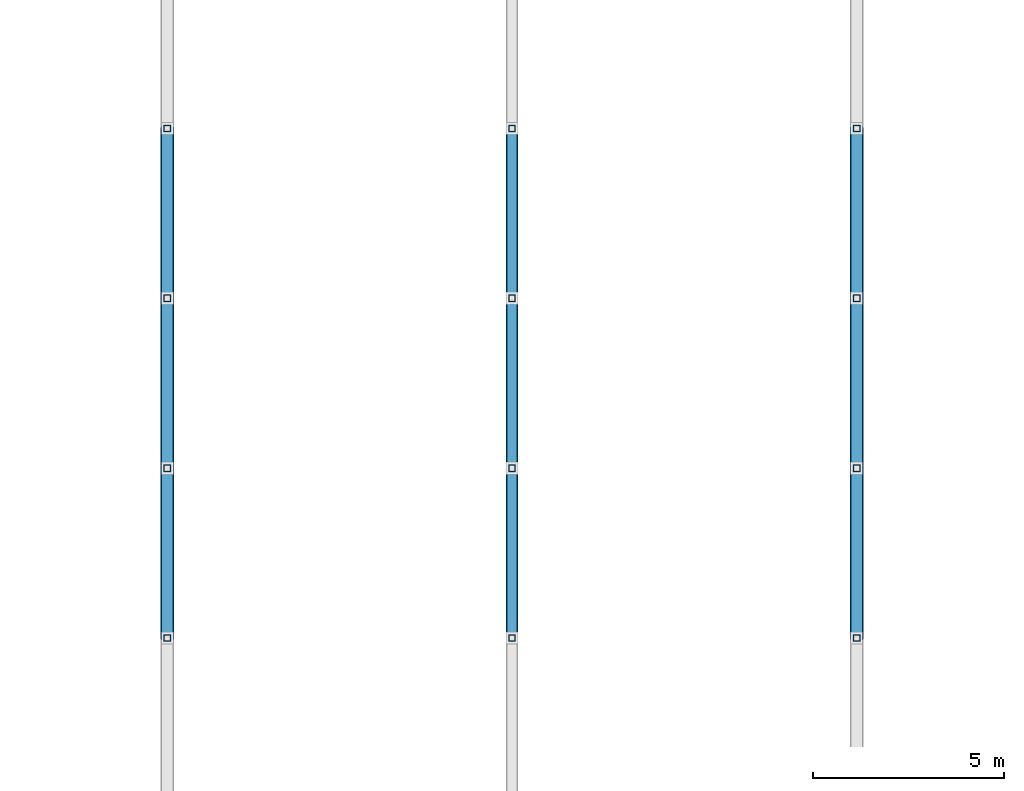
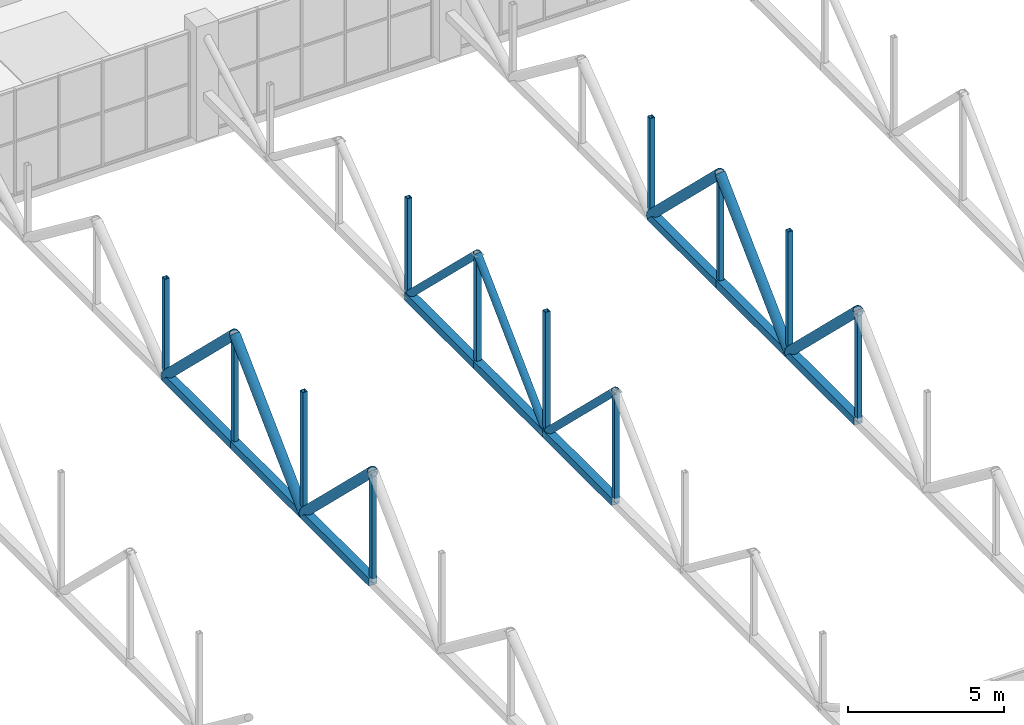
# One storey, part 52 of 103: 30 members.
"""IFC4 building model written with IfcOpenShell, lengths in metres."""

from ifc_helpers import new_model, si_unit, direction, frame, origin, origin_2d, place, context, subcontext, project, spatial, hollow_rectangle, hollow_circle, extrude, material, material_profile, profile_set, type_object, element, save


model = new_model("IFC4")

# Units and contexts
model_context = context("Model", 3, precision=1e-05, world=origin(), true_north=direction((0.0, 1.0)))
body_context = subcontext(model_context, "Body", "Model", "MODEL_VIEW")
ifc_project = project(units=[si_unit("LENGTHUNIT", "METRE"), si_unit("AREAUNIT", "SQUARE_METRE"), si_unit("VOLUMEUNIT", "CUBIC_METRE"), si_unit("PLANEANGLEUNIT", "RADIAN"), si_unit("MASSUNIT", "GRAM", prefix="KILO")], contexts=[model_context])

# Site, building, storey
site_placement = place(None, origin())
site = spatial("IfcSite", under=ifc_project, at=site_placement, CompositionType="ELEMENT")
building_placement = place(site_placement, origin())
building = spatial("IfcBuilding", under=site, at=building_placement, Name="Cazmaro Siding Exhibition Halls", CompositionType="ELEMENT")
storey_placement = place(building_placement, frame((0.0, 0.0, 16.5)))
storey = spatial("IfcBuildingStorey", under=building, at=storey_placement, Name="L03", CompositionType="ELEMENT", Elevation=16.5)

# Members
ifc_material_1 = material(Name="Steel ASTM A500 Grade C", Category="steel")
ifc_material_profile_1 = material_profile(ifc_material_1, hollow_rectangle(XDim=0.304931640625, YDim=0.304931640625, WallThickness=0.014892578125, at=origin_2d()), Name="HSS12X12X5/8")
ifc_profile_set_1 = profile_set([ifc_material_profile_1], Name="Steel ASTM A500 Grade C")
member_type_1 = type_object("IfcMemberType", Name="TC-02", PredefinedType="CHORD", material=ifc_profile_set_1)
for number, where, z_axis, x_axis, name in (
    (1, (135.0, 26.989990234375, 1.699951171875), (0.0, 1.0, 0.0), (-1.0, 0.0, 0.0), "Warren roof truss bottom chord TC-02 MEM-2588"),
    (2, (135.0, 31.425048828125, 1.699951171875), (0.0, 1.0, 0.0), (-1.0, 0.0, 0.0), "Warren roof truss bottom chord TC-02 MEM-2591"),
):
    element("IfcMember", number, at=place(storey_placement, frame(where, z_axis=z_axis, x_axis=x_axis)), inside=storey, type_object=member_type_1, Name=name, PredefinedType="CHORD", context=body_context, shape_type="SweptSolid", body=[
        extrude(hollow_rectangle(XDim=0.304931640625, YDim=0.304931640625, WallThickness=0.014892578125, at=origin_2d()), origin(), (0.0, 0.0, 1.0), 4.43505859375),
    ])
member_1_placement = place(storey_placement, frame((135.0, 35.860107421875, 1.699951171875), z_axis=(0.0, 1.0, 0.0), x_axis=(-1.0, 0.0, 0.0)))
element("IfcMember", 3, at=member_1_placement, inside=storey, type_object=member_type_1, Name="Warren roof truss bottom chord TC-02 MEM-2594", PredefinedType="CHORD", context=body_context, shape_type="SweptSolid", body=[
    extrude(hollow_rectangle(XDim=0.304931640625, YDim=0.304931640625, WallThickness=0.014892578125, at=origin_2d()), origin(), (0.0, 0.0, 1.0), 4.434814453125),
])
for number, where, z_axis, x_axis, name in (
    (4, (144.0, 26.989990234375, 1.699951171875), (0.0, 1.0, 0.0), (-1.0, 0.0, 0.0), "Warren roof truss bottom chord TC-02 MEM-2627"),
    (5, (144.0, 31.425048828125, 1.699951171875), (0.0, 1.0, 0.0), (-1.0, 0.0, 0.0), "Warren roof truss bottom chord TC-02 MEM-2630"),
):
    element("IfcMember", number, at=place(storey_placement, frame(where, z_axis=z_axis, x_axis=x_axis)), inside=storey, type_object=member_type_1, Name=name, PredefinedType="CHORD", context=body_context, shape_type="SweptSolid", body=[
        extrude(hollow_rectangle(XDim=0.304931640625, YDim=0.304931640625, WallThickness=0.014892578125, at=origin_2d()), origin(), (0.0, 0.0, 1.0), 4.43505859375),
    ])
member_2_placement = place(storey_placement, frame((144.0, 35.860107421875, 1.699951171875), z_axis=(0.0, 1.0, 0.0), x_axis=(-1.0, 0.0, 0.0)))
element("IfcMember", 6, at=member_2_placement, inside=storey, type_object=member_type_1, Name="Warren roof truss bottom chord TC-02 MEM-2633", PredefinedType="CHORD", context=body_context, shape_type="SweptSolid", body=[
    extrude(hollow_rectangle(XDim=0.304931640625, YDim=0.304931640625, WallThickness=0.014892578125, at=origin_2d()), origin(), (0.0, 0.0, 1.0), 4.434814453125),
])
for number, where, z_axis, x_axis, name in (
    (7, (153.0, 26.989990234375, 1.699951171875), (0.0, 1.0, 0.0), (-1.0, 0.0, 0.0), "Warren roof truss bottom chord TC-02 MEM-2666"),
    (8, (153.0, 31.425048828125, 1.699951171875), (0.0, 1.0, 0.0), (-1.0, 0.0, 0.0), "Warren roof truss bottom chord TC-02 MEM-2669"),
):
    element("IfcMember", number, at=place(storey_placement, frame(where, z_axis=z_axis, x_axis=x_axis)), inside=storey, type_object=member_type_1, Name=name, PredefinedType="CHORD", context=body_context, shape_type="SweptSolid", body=[
        extrude(hollow_rectangle(XDim=0.304931640625, YDim=0.304931640625, WallThickness=0.014892578125, at=origin_2d()), origin(), (0.0, 0.0, 1.0), 4.43505859375),
    ])
member_3_placement = place(storey_placement, frame((153.0, 35.860107421875, 1.699951171875), z_axis=(0.0, 1.0, 0.0), x_axis=(-1.0, 0.0, 0.0)))
element("IfcMember", 9, at=member_3_placement, inside=storey, type_object=member_type_1, Name="Warren roof truss bottom chord TC-02 MEM-2672", PredefinedType="CHORD", context=body_context, shape_type="SweptSolid", body=[
    extrude(hollow_rectangle(XDim=0.304931640625, YDim=0.304931640625, WallThickness=0.014892578125, at=origin_2d()), origin(), (0.0, 0.0, 1.0), 4.434814453125),
])
ifc_material_2 = material(Name="Steel ASTM A500 Grade C", Category="steel")
ifc_material_profile_2 = material_profile(ifc_material_2, hollow_rectangle(XDim=0.177978515625, YDim=0.177978515625, WallThickness=0.011962890625, at=origin_2d()), Name="HSS7X7X1/2")
ifc_profile_set_2 = profile_set([ifc_material_profile_2], Name="Steel ASTM A500 Grade C")
member_type_2 = type_object("IfcMemberType", Name="TP-02", PredefinedType="POST", material=ifc_profile_set_2)
member_4_placement = place(storey_placement, frame((135.0, 26.989990234375, 1.699951171875), z_axis=(0.0, 0.0, 1.0), x_axis=(1.0, 0.0, 0.0)))
element("IfcMember", 10, at=member_4_placement, inside=storey, type_object=member_type_2, Name="Warren roof truss vertical TP-02 MEM-2608", PredefinedType="POST", context=body_context, shape_type="SweptSolid", body=[
    extrude(hollow_rectangle(XDim=0.177978515625, YDim=0.177978515625, WallThickness=0.011962890625, at=origin_2d()), origin(), (0.0, 0.0, 1.0), 4.304931640625),
])
member_5_placement = place(storey_placement, frame((135.0, 31.425048828125, 1.699951171875), z_axis=(0.0, 0.0, 1.0), x_axis=(1.0, 0.0, 0.0)))
element("IfcMember", 11, at=member_5_placement, inside=storey, type_object=member_type_2, Name="Warren roof truss vertical TP-02 MEM-2609", PredefinedType="POST", context=body_context, shape_type="SweptSolid", body=[
    extrude(hollow_rectangle(XDim=0.177978515625, YDim=0.177978515625, WallThickness=0.011962890625, at=origin_2d()), origin(), (0.0, 0.0, 1.0), 4.77099609375),
])
member_6_placement = place(storey_placement, frame((135.0, 35.860107421875, 1.699951171875), z_axis=(0.0, 0.0, 1.0), x_axis=(1.0, 0.0, 0.0)))
element("IfcMember", 12, at=member_6_placement, inside=storey, type_object=member_type_2, Name="Warren roof truss vertical TP-02 MEM-2610", PredefinedType="POST", context=body_context, shape_type="SweptSolid", body=[
    extrude(hollow_rectangle(XDim=0.177978515625, YDim=0.177978515625, WallThickness=0.011962890625, at=origin_2d()), origin(), (0.0, 0.0, 1.0), 4.304931640625),
])
member_7_placement = place(storey_placement, frame((135.0, 40.294921875, 1.699951171875), z_axis=(0.0, 0.0, 1.0), x_axis=(1.0, 0.0, 0.0)))
element("IfcMember", 13, at=member_7_placement, inside=storey, type_object=member_type_2, Name="Warren roof truss vertical TP-02 MEM-2611", PredefinedType="POST", context=body_context, shape_type="SweptSolid", body=[
    extrude(hollow_rectangle(XDim=0.177978515625, YDim=0.177978515625, WallThickness=0.011962890625, at=origin_2d()), origin(), (0.0, 0.0, 1.0), 3.839111328125),
])
member_8_placement = place(storey_placement, frame((144.0, 26.989990234375, 1.699951171875), z_axis=(0.0, 0.0, 1.0), x_axis=(1.0, 0.0, 0.0)))
element("IfcMember", 14, at=member_8_placement, inside=storey, type_object=member_type_2, Name="Warren roof truss vertical TP-02 MEM-2647", PredefinedType="POST", context=body_context, shape_type="SweptSolid", body=[
    extrude(hollow_rectangle(XDim=0.177978515625, YDim=0.177978515625, WallThickness=0.011962890625, at=origin_2d()), origin(), (0.0, 0.0, 1.0), 4.304931640625),
])
member_9_placement = place(storey_placement, frame((144.0, 31.425048828125, 1.699951171875), z_axis=(0.0, 0.0, 1.0), x_axis=(1.0, 0.0, 0.0)))
element("IfcMember", 15, at=member_9_placement, inside=storey, type_object=member_type_2, Name="Warren roof truss vertical TP-02 MEM-2648", PredefinedType="POST", context=body_context, shape_type="SweptSolid", body=[
    extrude(hollow_rectangle(XDim=0.177978515625, YDim=0.177978515625, WallThickness=0.011962890625, at=origin_2d()), origin(), (0.0, 0.0, 1.0), 4.77099609375),
])
member_10_placement = place(storey_placement, frame((144.0, 35.860107421875, 1.699951171875), z_axis=(0.0, 0.0, 1.0), x_axis=(1.0, 0.0, 0.0)))
element("IfcMember", 16, at=member_10_placement, inside=storey, type_object=member_type_2, Name="Warren roof truss vertical TP-02 MEM-2649", PredefinedType="POST", context=body_context, shape_type="SweptSolid", body=[
    extrude(hollow_rectangle(XDim=0.177978515625, YDim=0.177978515625, WallThickness=0.011962890625, at=origin_2d()), origin(), (0.0, 0.0, 1.0), 4.304931640625),
])
member_11_placement = place(storey_placement, frame((144.0, 40.294921875, 1.699951171875), z_axis=(0.0, 0.0, 1.0), x_axis=(1.0, 0.0, 0.0)))
element("IfcMember", 17, at=member_11_placement, inside=storey, type_object=member_type_2, Name="Warren roof truss vertical TP-02 MEM-2650", PredefinedType="POST", context=body_context, shape_type="SweptSolid", body=[
    extrude(hollow_rectangle(XDim=0.177978515625, YDim=0.177978515625, WallThickness=0.011962890625, at=origin_2d()), origin(), (0.0, 0.0, 1.0), 3.839111328125),
])
member_12_placement = place(storey_placement, frame((153.0, 26.989990234375, 1.699951171875), z_axis=(0.0, 0.0, 1.0), x_axis=(1.0, 0.0, 0.0)))
element("IfcMember", 18, at=member_12_placement, inside=storey, type_object=member_type_2, Name="Warren roof truss vertical TP-02 MEM-2686", PredefinedType="POST", context=body_context, shape_type="SweptSolid", body=[
    extrude(hollow_rectangle(XDim=0.177978515625, YDim=0.177978515625, WallThickness=0.011962890625, at=origin_2d()), origin(), (0.0, 0.0, 1.0), 4.304931640625),
])
member_13_placement = place(storey_placement, frame((153.0, 31.425048828125, 1.699951171875), z_axis=(0.0, 0.0, 1.0), x_axis=(1.0, 0.0, 0.0)))
element("IfcMember", 19, at=member_13_placement, inside=storey, type_object=member_type_2, Name="Warren roof truss vertical TP-02 MEM-2687", PredefinedType="POST", context=body_context, shape_type="SweptSolid", body=[
    extrude(hollow_rectangle(XDim=0.177978515625, YDim=0.177978515625, WallThickness=0.011962890625, at=origin_2d()), origin(), (0.0, 0.0, 1.0), 4.77099609375),
])
member_14_placement = place(storey_placement, frame((153.0, 35.860107421875, 1.699951171875), z_axis=(0.0, 0.0, 1.0), x_axis=(1.0, 0.0, 0.0)))
element("IfcMember", 20, at=member_14_placement, inside=storey, type_object=member_type_2, Name="Warren roof truss vertical TP-02 MEM-2688", PredefinedType="POST", context=body_context, shape_type="SweptSolid", body=[
    extrude(hollow_rectangle(XDim=0.177978515625, YDim=0.177978515625, WallThickness=0.011962890625, at=origin_2d()), origin(), (0.0, 0.0, 1.0), 4.304931640625),
])
member_15_placement = place(storey_placement, frame((153.0, 40.294921875, 1.699951171875), z_axis=(0.0, 0.0, 1.0), x_axis=(1.0, 0.0, 0.0)))
element("IfcMember", 21, at=member_15_placement, inside=storey, type_object=member_type_2, Name="Warren roof truss vertical TP-02 MEM-2689", PredefinedType="POST", context=body_context, shape_type="SweptSolid", body=[
    extrude(hollow_rectangle(XDim=0.177978515625, YDim=0.177978515625, WallThickness=0.011962890625, at=origin_2d()), origin(), (0.0, 0.0, 1.0), 3.839111328125),
])
ifc_material_3 = material(Name="Steel ASTM A500 Grade C", Category="steel")
ifc_material_profile_3 = material_profile(ifc_material_3, hollow_circle(Radius=0.136474609375, WallThickness=0.012939453125, at=origin_2d()), Name="PIPE10XS")
ifc_profile_set_3 = profile_set([ifc_material_profile_3], Name="Steel ASTM A500 Grade C")
member_type_3 = type_object("IfcMemberType", Name="WB-02", PredefinedType="BRACE", material=ifc_profile_set_3)
for number, where, z_axis, x_axis, name in (
    (22, (144.0, 26.989990234375, 6.0048828125), (0.0, 0.717555143773, -0.696501698236), (-1.0, 0.0, 0.0), "Warren roof truss diagonal WB-02 MEM-2628"),
    (23, (144.0, 31.425048828125, 1.699951171875), (0.0, 0.717555143773, 0.696501698236), (-1.0, 0.0, 0.0), "Warren roof truss diagonal WB-02 MEM-2631"),
):
    element("IfcMember", number, at=place(storey_placement, frame(where, z_axis=z_axis, x_axis=x_axis)), inside=storey, type_object=member_type_3, Name=name, PredefinedType="BRACE", context=body_context, shape_type="SweptSolid", body=[
        extrude(hollow_circle(Radius=0.136474609375, WallThickness=0.012939453125, at=origin_2d()), origin(), (0.0, 0.0, 1.0), 6.180908203125),
    ])
member_16_placement = place(storey_placement, frame((144.0, 35.860107421875, 6.0048828125), z_axis=(0.0, 0.71753598098, -0.696521439726), x_axis=(-1.0, 0.0, 0.0)))
element("IfcMember", 24, at=member_16_placement, inside=storey, type_object=member_type_3, Name="Warren roof truss diagonal WB-02 MEM-2634", PredefinedType="BRACE", context=body_context, shape_type="SweptSolid", body=[
    extrude(hollow_circle(Radius=0.136474609375, WallThickness=0.012939453125, at=origin_2d()), origin(), (0.0, 0.0, 1.0), 6.1806640625),
])
ifc_material_4 = material(Name="Steel ASTM A500 Grade C", Category="steel")
ifc_material_profile_4 = material_profile(ifc_material_4, hollow_circle(Radius=0.177978515625, WallThickness=0.012939453125, at=origin_2d()), Name="PIPE14XS")
ifc_profile_set_4 = profile_set([ifc_material_profile_4], Name="Steel ASTM A500 Grade C")
member_type_4 = type_object("IfcMemberType", Name="WB-06", PredefinedType="BRACE", material=ifc_profile_set_4)
for number, where, z_axis, x_axis, name in (
    (25, (135.0, 26.989990234375, 6.0048828125), (0.0, 0.717555143773, -0.696501698236), (-1.0, 0.0, 0.0), "Warren roof truss diagonal WB-06 MEM-2589"),
    (26, (135.0, 31.425048828125, 1.699951171875), (0.0, 0.717555143773, 0.696501698236), (-1.0, 0.0, 0.0), "Warren roof truss diagonal WB-06 MEM-2592"),
):
    element("IfcMember", number, at=place(storey_placement, frame(where, z_axis=z_axis, x_axis=x_axis)), inside=storey, type_object=member_type_4, Name=name, PredefinedType="BRACE", context=body_context, shape_type="SweptSolid", body=[
        extrude(hollow_circle(Radius=0.177978515625, WallThickness=0.012939453125, at=origin_2d()), origin(), (0.0, 0.0, 1.0), 6.180908203125),
    ])
member_17_placement = place(storey_placement, frame((135.0, 35.860107421875, 6.0048828125), z_axis=(0.0, 0.71753598098, -0.696521439726), x_axis=(-1.0, 0.0, 0.0)))
element("IfcMember", 27, at=member_17_placement, inside=storey, type_object=member_type_4, Name="Warren roof truss diagonal WB-06 MEM-2595", PredefinedType="BRACE", context=body_context, shape_type="SweptSolid", body=[
    extrude(hollow_circle(Radius=0.177978515625, WallThickness=0.012939453125, at=origin_2d()), origin(), (0.0, 0.0, 1.0), 6.1806640625),
])
for number, where, z_axis, x_axis, name in (
    (28, (153.0, 26.989990234375, 6.0048828125), (0.0, 0.717555143773, -0.696501698236), (-1.0, 0.0, 0.0), "Warren roof truss diagonal WB-06 MEM-2667"),
    (29, (153.0, 31.425048828125, 1.699951171875), (0.0, 0.717555143773, 0.696501698236), (-1.0, 0.0, 0.0), "Warren roof truss diagonal WB-06 MEM-2670"),
):
    element("IfcMember", number, at=place(storey_placement, frame(where, z_axis=z_axis, x_axis=x_axis)), inside=storey, type_object=member_type_4, Name=name, PredefinedType="BRACE", context=body_context, shape_type="SweptSolid", body=[
        extrude(hollow_circle(Radius=0.177978515625, WallThickness=0.012939453125, at=origin_2d()), origin(), (0.0, 0.0, 1.0), 6.180908203125),
    ])
member_18_placement = place(storey_placement, frame((153.0, 35.860107421875, 6.0048828125), z_axis=(0.0, 0.71753598098, -0.696521439726), x_axis=(-1.0, 0.0, 0.0)))
element("IfcMember", 30, at=member_18_placement, inside=storey, type_object=member_type_4, Name="Warren roof truss diagonal WB-06 MEM-2673", PredefinedType="BRACE", context=body_context, shape_type="SweptSolid", body=[
    extrude(hollow_circle(Radius=0.177978515625, WallThickness=0.012939453125, at=origin_2d()), origin(), (0.0, 0.0, 1.0), 6.1806640625),
])

save(model, "model.ifc")
